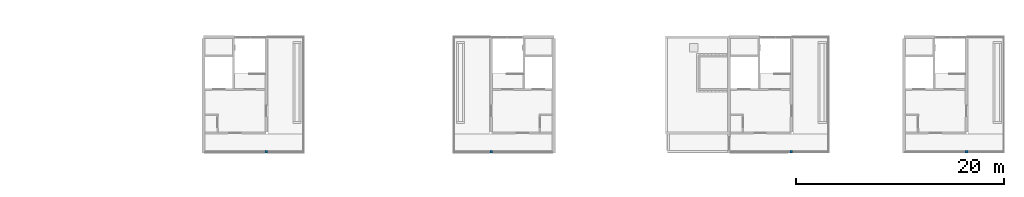
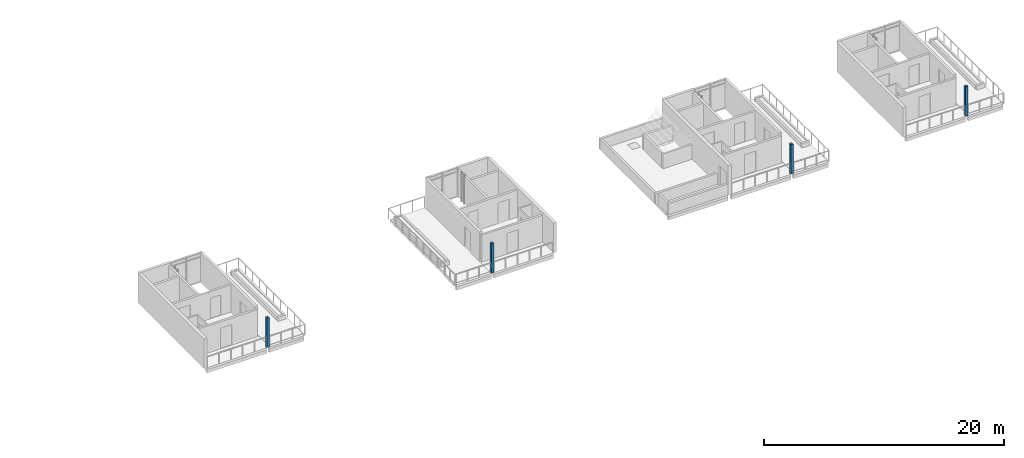
# One storey, part 2 of 33: 4 columns.
"""IFC4 building model written with IfcOpenShell, lengths in metres."""

from ifc_helpers import new_model, si_unit, direction, frame, origin, origin_2d, place, context, subcontext, project, spatial, rectangle, extrude, material, material_profile, profile_set, type_object, element, save


model = new_model("IFC4")

# Units and contexts
model_context = context("Model", 3, precision=1e-05, world=origin(), true_north=direction((0.0, 1.0)))
body_context = subcontext(model_context, "Body", "Model", "MODEL_VIEW")
ifc_project = project(units=[si_unit("LENGTHUNIT", "METRE"), si_unit("AREAUNIT", "SQUARE_METRE"), si_unit("VOLUMEUNIT", "CUBIC_METRE"), si_unit("PLANEANGLEUNIT", "RADIAN"), si_unit("MASSUNIT", "GRAM", prefix="KILO")], contexts=[model_context])

# Site, building, storey
site_placement = place(None, origin())
site = spatial("IfcSite", under=ifc_project, at=site_placement, CompositionType="ELEMENT")
building_placement = place(site_placement, origin())
building = spatial("IfcBuilding", under=site, at=building_placement, Name="Ridgestep Commons", CompositionType="ELEMENT")
storey_placement = place(building_placement, frame((0.0, 0.0, 42.0)))
storey = spatial("IfcBuildingStorey", under=building, at=storey_placement, Name="L14", CompositionType="ELEMENT", Elevation=42.0)

# Columns
ifc_material = material(Name="Precast concrete C40/50", Category="concrete")
ifc_material_profile = material_profile(ifc_material, rectangle(XDim=0.25, YDim=0.25, at=origin_2d()), Name="PC 250x250")
ifc_profile_set = profile_set([ifc_material_profile], Name="Precast concrete C40/50")
column_type = type_object("IfcColumnType", Name="Loggia column 250 x 250", PredefinedType="COLUMN", material=ifc_profile_set)
for number, where, z_axis, x_axis, name in (
    (1, (169.60009765625, 11.875, 0.0), (0.0, 0.0, 1.0), (1.0, 0.0, 0.0), "Loggia column D L14"),
    (2, (191.199951171875, 11.875, 0.0), (0.0, 0.0, 1.0), (1.0, 0.0, 0.0), "Loggia column D L14"),
    (3, (220.0, 11.875, 0.0), (0.0, 0.0, 1.0), (1.0, 0.0, 0.0), "Loggia column D L14"),
    (4, (236.800048828125, 11.875, 0.0), (0.0, 0.0, 1.0), (1.0, 0.0, 0.0), "Loggia column D L14"),
):
    element("IfcColumn", number, at=place(storey_placement, frame(where, z_axis=z_axis, x_axis=x_axis)), inside=storey, type_object=column_type, Name=name, PredefinedType="COLUMN", context=body_context, shape_type="SweptSolid", body=[
        extrude(rectangle(XDim=0.25, YDim=0.25, at=origin_2d()), origin(), (0.0, 0.0, 1.0), 3.0),
    ])

save(model, "model.ifc")
